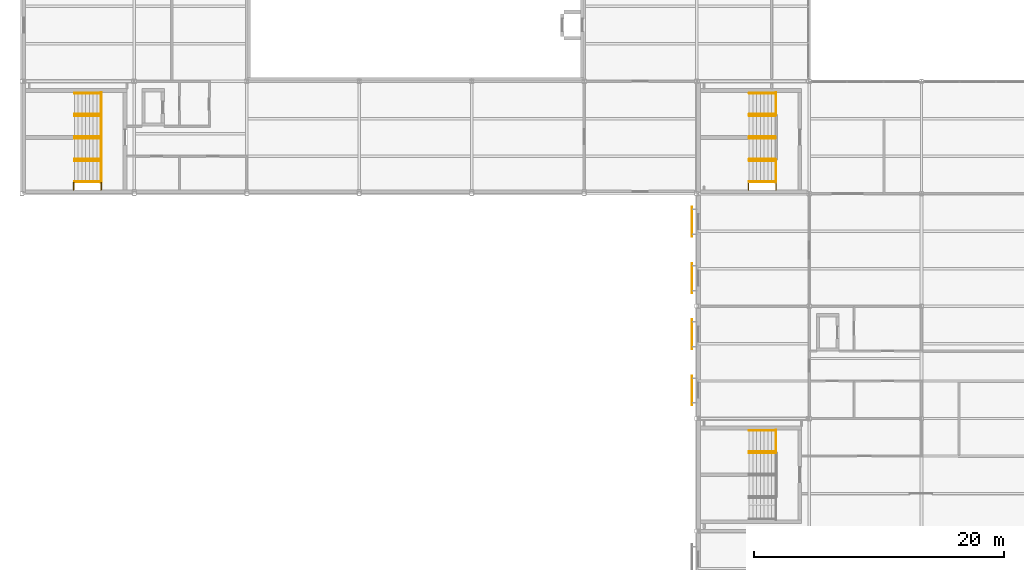
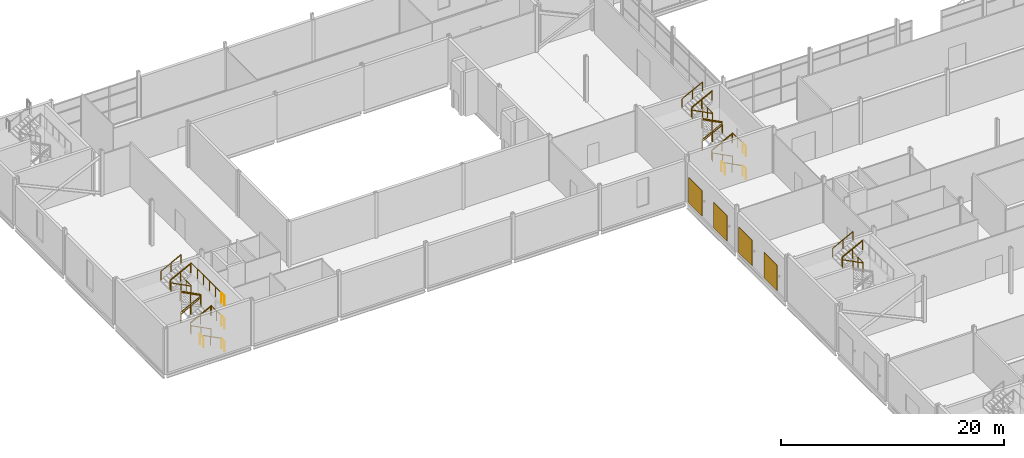
# One storey, part 106 of 112: 41 railings, 4 shading devices.
"""IFC4 building model written with IfcOpenShell, lengths in metres."""

from ifc_helpers import new_model, si_unit, direction, frame, origin, origin_2d, place, context, subcontext, project, spatial, rectangle, circle, extrude, material, layer, layer_set, type_object, element, save


model = new_model("IFC4")

# Units and contexts
model_context = context("Model", 3, precision=1e-05, world=origin(), true_north=direction((0.0, 1.0)))
body_context = subcontext(model_context, "Body", "Model", "MODEL_VIEW")
ifc_project = project(units=[si_unit("LENGTHUNIT", "METRE"), si_unit("AREAUNIT", "SQUARE_METRE"), si_unit("VOLUMEUNIT", "CUBIC_METRE"), si_unit("PLANEANGLEUNIT", "RADIAN"), si_unit("MASSUNIT", "GRAM", prefix="KILO")], contexts=[model_context])

# Site, building, storey
site_placement = place(None, origin())
site = spatial("IfcSite", under=ifc_project, at=site_placement, CompositionType="ELEMENT")
building_placement = place(site_placement, origin())
building = spatial("IfcBuilding", under=site, at=building_placement, Name="Shorebreak Coast Museum", CompositionType="ELEMENT")
storey_placement = place(building_placement, frame((0.0, 0.0, 6.0)))
storey = spatial("IfcBuildingStorey", under=building, at=storey_placement, Name="L01", CompositionType="ELEMENT", Elevation=6.0)

# Shading devices
ifc_material_1 = material(Name="Aluminium", Category="aluminium")
ifc_layer = layer(ifc_material_1, 0.0400390625)
ifc_layer_set = layer_set([ifc_layer], Name="Aluminium")
shading_device_type = type_object("IfcShadingDeviceType", Name="Perforated aluminium screen 2400 x 2800", PredefinedType="USERDEFINED", material=ifc_layer_set)
for number, where, z_axis, x_axis, name in (
    (1, (53.6298828125, 38.25, 0.5498046875), (0.0, 0.0, 1.0), (1.0, 0.0, 0.0), "Perforated screen L01 W19"),
    (2, (53.6298828125, 42.75, 0.5498046875), (0.0, 0.0, 1.0), (1.0, 0.0, 0.0), "Perforated screen L01 W20"),
    (3, (53.6298828125, 47.25, 0.5498046875), (0.0, 0.0, 1.0), (1.0, 0.0, 0.0), "Perforated screen L01 W21"),
    (4, (53.6298828125, 51.75, 0.5498046875), (0.0, 0.0, 1.0), (1.0, 0.0, 0.0), "Perforated screen L01 W22"),
):
    element("IfcShadingDevice", number, at=place(storey_placement, frame(where, z_axis=z_axis, x_axis=x_axis)), inside=storey, type_object=shading_device_type, Name=name, ObjectType="LOUVRE", PredefinedType="USERDEFINED", context=body_context, shape_type="SweptSolid", body=[
        extrude(rectangle(XDim=0.0400390625, YDim=2.39990234375, at=origin_2d()), origin(), (0.0, 0.0, 1.0), 2.800048828125),
    ])

# Railings
ifc_material_2 = material(Name="Steel Grade 300", Category="steel")
railing_type_1 = type_object("IfcRailingType", Name="Stair guard 1100", PredefinedType="GUARDRAIL", material=ifc_material_2)
for number, where, name in (
    (5, (60.35009765625, 54.89990234375, 2.5), "Guard ST01 L01 landing mid1"),
    (6, (60.35009765625, 60.300048828125, 2.5), "Guard ST01 L01 landing mid1"),
):
    element("IfcRailing", number, at=place(storey_placement, frame(where)), inside=storey, type_object=railing_type_1, Name=name, PredefinedType="GUARDRAIL", context=body_context, shape_type="SweptSolid", body=[
        extrude(circle(Radius=0.02490234375, at=origin_2d()), frame((0.0, 0.0, 1.0751953125), z_axis=(0.0, 1.0, 0.0), x_axis=(-1.0, 0.0, 0.0)), (0.0, 0.0, 1.0), 1.800048828125),
        extrude(circle(Radius=0.02001953125, at=origin_2d()), origin(), (0.0, 0.0, 1.0), 1.050048828125),
        extrude(circle(Radius=0.02001953125, at=origin_2d()), frame((0.0, 0.89990234375, 0.0)), (0.0, 0.0, 1.0), 1.050048828125),
        extrude(circle(Radius=0.02001953125, at=origin_2d()), frame((0.0, 1.800048828125, 0.0)), (0.0, 0.0, 1.0), 1.050048828125),
    ])
for number, where, name in (
    (7, (60.35009765625, 54.300048828125, 0.0), "Guard ST01 L01 landing strip"),
    (8, (60.35009765625, 54.300048828125, 2.5), "Guard ST01 L01 landing strip"),
    (9, (58.14990234375, 54.300048828125, 1.25), "Guard ST01 L01 landing strip"),
):
    element("IfcRailing", number, at=place(storey_placement, frame(where)), inside=storey, type_object=railing_type_1, Name=name, PredefinedType="GUARDRAIL", context=body_context, shape_type="SweptSolid", body=[
        extrude(circle(Radius=0.02490234375, at=origin_2d()), frame((0.0, 0.0, 1.0751953125), z_axis=(0.0, 1.0, 0.0), x_axis=(-1.0, 0.0, 0.0)), (0.0, 0.0, 1.0), 0.599853515625),
        extrude(circle(Radius=0.02001953125, at=origin_2d()), origin(), (0.0, 0.0, 1.0), 1.050048828125),
        extrude(circle(Radius=0.02001953125, at=origin_2d()), frame((0.0, 0.599853515625, 0.0)), (0.0, 0.0, 1.0), 1.050048828125),
    ])
for number, where, name in (
    (10, (58.199951171875, 56.699951171875, 1.40625), "Guard ST01-L01 well 1"),
    (11, (58.199951171875, 60.300048828125, 3.90625), "Guard ST01-L01 well 2"),
    (12, (58.199951171875, 58.5, 1.40625), "Guard ST01-L01 side 1"),
):
    element("IfcRailing", number, at=place(storey_placement, frame(where)), inside=storey, type_object=railing_type_1, Name=name, PredefinedType="GUARDRAIL", context=body_context, shape_type="SweptSolid", body=[
        extrude(circle(Radius=0.02490234375, at=origin_2d()), frame((0.0, 0.0, 1.0751953125), z_axis=(0.8869228845, 0.0, 0.461917521804), x_axis=(0.0, 1.0, 0.0)), (0.0, 0.0, 1.0), 2.367919921875),
        extrude(circle(Radius=0.02001953125, at=origin_2d()), origin(), (0.0, 0.0, 1.0), 1.050048828125),
        extrude(circle(Radius=0.02001953125, at=origin_2d()), frame((1.050048828125, 0.0, 0.546875)), (0.0, 0.0, 1.0), 1.050048828125),
        extrude(circle(Radius=0.02001953125, at=origin_2d()), frame((2.10009765625, 0.0, 1.09375)), (0.0, 0.0, 1.0), 1.050048828125),
    ])
railing_1_placement = place(storey_placement, frame((60.300048828125, 58.5, 2.65625)))
element("IfcRailing", 13, at=railing_1_placement, inside=storey, type_object=railing_type_1, Name="Guard ST01-L01 side 2", PredefinedType="GUARDRAIL", context=body_context, shape_type="SweptSolid", body=[
    extrude(circle(Radius=0.02490234375, at=origin_2d()), frame((0.0, 0.0, 1.0751953125), z_axis=(-0.8869228845, 0.0, 0.461917521804), x_axis=(0.0, -1.0, 0.0)), (0.0, 0.0, 1.0), 2.367919921875),
    extrude(circle(Radius=0.02001953125, at=origin_2d()), origin(), (0.0, 0.0, 1.0), 1.050048828125),
    extrude(circle(Radius=0.02001953125, at=origin_2d()), frame((-1.050048828125, 0.0, 0.546875)), (0.0, 0.0, 1.0), 1.050048828125),
    extrude(circle(Radius=0.02001953125, at=origin_2d()), frame((-2.10009765625, 0.0, 1.09375)), (0.0, 0.0, 1.0), 1.050048828125),
])
for number, where, name in (
    (14, (6.35009765625, 54.89990234375, 2.5), "Guard ST05 L01 landing mid1"),
    (15, (6.35009765625, 60.300048828125, 2.5), "Guard ST05 L01 landing mid1"),
):
    element("IfcRailing", number, at=place(storey_placement, frame(where)), inside=storey, type_object=railing_type_1, Name=name, PredefinedType="GUARDRAIL", context=body_context, shape_type="SweptSolid", body=[
        extrude(circle(Radius=0.02490234375, at=origin_2d()), frame((0.0, 0.0, 1.0751953125), z_axis=(0.0, 1.0, 0.0), x_axis=(-1.0, 0.0, 0.0)), (0.0, 0.0, 1.0), 1.800048828125),
        extrude(circle(Radius=0.02001953125, at=origin_2d()), origin(), (0.0, 0.0, 1.0), 1.050048828125),
        extrude(circle(Radius=0.02001953125, at=origin_2d()), frame((0.0, 0.89990234375, 0.0)), (0.0, 0.0, 1.0), 1.050048828125),
        extrude(circle(Radius=0.02001953125, at=origin_2d()), frame((0.0, 1.800048828125, 0.0)), (0.0, 0.0, 1.0), 1.050048828125),
    ])
railing_2_placement = place(storey_placement, frame((6.35009765625, 54.89990234375, 5.0)))
element("IfcRailing", 16, at=railing_2_placement, inside=storey, type_object=railing_type_1, Name="Guard ST05 L01 landing top", PredefinedType="GUARDRAIL", context=body_context, shape_type="SweptSolid", body=[
    extrude(circle(Radius=0.02490234375, at=origin_2d()), frame((0.0, 0.0, 1.0751953125), z_axis=(0.0, 1.0, 0.0), x_axis=(-1.0, 0.0, 0.0)), (0.0, 0.0, 1.0), 5.400146484375),
    extrude(circle(Radius=0.02001953125, at=origin_2d()), origin(), (0.0, 0.0, 1.0), 1.050048828125),
    extrude(circle(Radius=0.02001953125, at=origin_2d()), frame((0.0, 1.080078125, 0.0)), (0.0, 0.0, 1.0), 1.050048828125),
    extrude(circle(Radius=0.02001953125, at=origin_2d()), frame((0.0, 2.16015625, 0.0)), (0.0, 0.0, 1.0), 1.050048828125),
    extrude(circle(Radius=0.02001953125, at=origin_2d()), frame((0.0, 3.239990234375, 0.0)), (0.0, 0.0, 1.0), 1.050048828125),
    extrude(circle(Radius=0.02001953125, at=origin_2d()), frame((0.0, 4.320068359375, 0.0)), (0.0, 0.0, 1.0), 1.050048828125),
    extrude(circle(Radius=0.02001953125, at=origin_2d()), frame((0.0, 5.400146484375, 0.0)), (0.0, 0.0, 1.0), 1.050048828125),
])
for number, where, name in (
    (17, (6.35009765625, 54.300048828125, 0.0), "Guard ST05 L01 landing strip"),
    (18, (6.35009765625, 54.300048828125, 2.5), "Guard ST05 L01 landing strip"),
    (19, (4.14990234375, 54.300048828125, 1.25), "Guard ST05 L01 landing strip"),
    (20, (6.35009765625, 54.300048828125, 5.0), "Guard ST05 L01 landing strip"),
):
    element("IfcRailing", number, at=place(storey_placement, frame(where)), inside=storey, type_object=railing_type_1, Name=name, PredefinedType="GUARDRAIL", context=body_context, shape_type="SweptSolid", body=[
        extrude(circle(Radius=0.02490234375, at=origin_2d()), frame((0.0, 0.0, 1.0751953125), z_axis=(0.0, 1.0, 0.0), x_axis=(-1.0, 0.0, 0.0)), (0.0, 0.0, 1.0), 0.599853515625),
        extrude(circle(Radius=0.02001953125, at=origin_2d()), origin(), (0.0, 0.0, 1.0), 1.050048828125),
        extrude(circle(Radius=0.02001953125, at=origin_2d()), frame((0.0, 0.599853515625, 0.0)), (0.0, 0.0, 1.0), 1.050048828125),
    ])
for number, where, name in (
    (21, (4.199951171875, 56.699951171875, 1.40625), "Guard ST05-L01 well 1"),
    (22, (4.199951171875, 60.300048828125, 3.90625), "Guard ST05-L01 well 2"),
    (23, (4.199951171875, 58.5, 1.40625), "Guard ST05-L01 side 1"),
):
    element("IfcRailing", number, at=place(storey_placement, frame(where)), inside=storey, type_object=railing_type_1, Name=name, PredefinedType="GUARDRAIL", context=body_context, shape_type="SweptSolid", body=[
        extrude(circle(Radius=0.02490234375, at=origin_2d()), frame((0.0, 0.0, 1.0751953125), z_axis=(0.8869228845, 0.0, 0.461917521804), x_axis=(0.0, 1.0, 0.0)), (0.0, 0.0, 1.0), 2.367919921875),
        extrude(circle(Radius=0.02001953125, at=origin_2d()), origin(), (0.0, 0.0, 1.0), 1.050048828125),
        extrude(circle(Radius=0.02001953125, at=origin_2d()), frame((1.050048828125, 0.0, 0.546875)), (0.0, 0.0, 1.0), 1.050048828125),
        extrude(circle(Radius=0.02001953125, at=origin_2d()), frame((2.10009765625, 0.0, 1.09375)), (0.0, 0.0, 1.0), 1.050048828125),
    ])
railing_3_placement = place(storey_placement, frame((6.300048828125, 58.5, 2.65625)))
element("IfcRailing", 24, at=railing_3_placement, inside=storey, type_object=railing_type_1, Name="Guard ST05-L01 side 2", PredefinedType="GUARDRAIL", context=body_context, shape_type="SweptSolid", body=[
    extrude(circle(Radius=0.02490234375, at=origin_2d()), frame((0.0, 0.0, 1.0751953125), z_axis=(-0.8869228845, 0.0, 0.461917521804), x_axis=(0.0, -1.0, 0.0)), (0.0, 0.0, 1.0), 2.367919921875),
    extrude(circle(Radius=0.02001953125, at=origin_2d()), origin(), (0.0, 0.0, 1.0), 1.050048828125),
    extrude(circle(Radius=0.02001953125, at=origin_2d()), frame((-1.050048828125, 0.0, 0.546875)), (0.0, 0.0, 1.0), 1.050048828125),
    extrude(circle(Radius=0.02001953125, at=origin_2d()), frame((-2.10009765625, 0.0, 1.09375)), (0.0, 0.0, 1.0), 1.050048828125),
])
railing_4_placement = place(storey_placement, frame((60.35009765625, 33.300048828125, 2.5)))
element("IfcRailing", 25, at=railing_4_placement, inside=storey, type_object=railing_type_1, Name="Guard ST13 L01 landing mid1", PredefinedType="GUARDRAIL", context=body_context, shape_type="SweptSolid", body=[
    extrude(circle(Radius=0.02490234375, at=origin_2d()), frame((0.0, 0.0, 1.0751953125), z_axis=(0.0, 1.0, 0.0), x_axis=(-1.0, 0.0, 0.0)), (0.0, 0.0, 1.0), 1.800048828125),
    extrude(circle(Radius=0.02001953125, at=origin_2d()), origin(), (0.0, 0.0, 1.0), 1.050048828125),
    extrude(circle(Radius=0.02001953125, at=origin_2d()), frame((0.0, 0.89990234375, 0.0)), (0.0, 0.0, 1.0), 1.050048828125),
    extrude(circle(Radius=0.02001953125, at=origin_2d()), frame((0.0, 1.800048828125, 0.0)), (0.0, 0.0, 1.0), 1.050048828125),
])
railing_5_placement = place(storey_placement, frame((58.199951171875, 33.300048828125, 3.90625)))
element("IfcRailing", 26, at=railing_5_placement, inside=storey, type_object=railing_type_1, Name="Guard ST13-L01 well 2", PredefinedType="GUARDRAIL", context=body_context, shape_type="SweptSolid", body=[
    extrude(circle(Radius=0.02490234375, at=origin_2d()), frame((0.0, 0.0, 1.0751953125), z_axis=(0.8869228845, 0.0, 0.461917521804), x_axis=(0.0, 1.0, 0.0)), (0.0, 0.0, 1.0), 2.367919921875),
    extrude(circle(Radius=0.02001953125, at=origin_2d()), origin(), (0.0, 0.0, 1.0), 1.050048828125),
    extrude(circle(Radius=0.02001953125, at=origin_2d()), frame((1.050048828125, 0.0, 0.546875)), (0.0, 0.0, 1.0), 1.050048828125),
    extrude(circle(Radius=0.02001953125, at=origin_2d()), frame((2.10009765625, 0.0, 1.09375)), (0.0, 0.0, 1.0), 1.050048828125),
])
ifc_material_3 = material(Name="Steel Grade 300", Category="steel")
railing_type_2 = type_object("IfcRailingType", Name="Stair handrail 950", PredefinedType="HANDRAIL", material=ifc_material_3)
for number, where, name in (
    (27, (60.300048828125, 54.9599609375, 0.15625), "Handrail ST01-L01 flight 1a"),
    (28, (60.300048828125, 56.639892578125, 0.15625), "Handrail ST01-L01 flight 1b"),
):
    element("IfcRailing", number, at=place(storey_placement, frame(where)), inside=storey, type_object=railing_type_2, Name=name, PredefinedType="HANDRAIL", context=body_context, shape_type="SweptSolid", body=[
        extrude(circle(Radius=0.02490234375, at=origin_2d()), frame((0.0, 0.0, 0.9248046875), z_axis=(-0.8869228845, 0.0, 0.461917521804), x_axis=(0.0, -1.0, 0.0)), (0.0, 0.0, 1.0), 2.367919921875),
        extrude(circle(Radius=0.02001953125, at=origin_2d()), origin(), (0.0, 0.0, 1.0), 0.89990234375),
        extrude(circle(Radius=0.02001953125, at=origin_2d()), frame((-1.050048828125, 0.0, 0.546875)), (0.0, 0.0, 1.0), 0.89990234375),
        extrude(circle(Radius=0.02001953125, at=origin_2d()), frame((-2.10009765625, 0.0, 1.09375)), (0.0, 0.0, 1.0), 0.89990234375),
    ])
for number, where, name in (
    (29, (58.199951171875, 56.760009765625, 1.40625), "Handrail ST01-L01 flight 2a"),
    (30, (58.199951171875, 58.43994140625, 1.40625), "Handrail ST01-L01 flight 2b"),
):
    element("IfcRailing", number, at=place(storey_placement, frame(where)), inside=storey, type_object=railing_type_2, Name=name, PredefinedType="HANDRAIL", context=body_context, shape_type="SweptSolid", body=[
        extrude(circle(Radius=0.02490234375, at=origin_2d()), frame((0.0, 0.0, 0.9248046875), z_axis=(0.8869228845, 0.0, 0.461917521804), x_axis=(0.0, 1.0, 0.0)), (0.0, 0.0, 1.0), 2.367919921875),
        extrude(circle(Radius=0.02001953125, at=origin_2d()), origin(), (0.0, 0.0, 1.0), 0.89990234375),
        extrude(circle(Radius=0.02001953125, at=origin_2d()), frame((1.050048828125, 0.0, 0.546875)), (0.0, 0.0, 1.0), 0.89990234375),
        extrude(circle(Radius=0.02001953125, at=origin_2d()), frame((2.10009765625, 0.0, 1.09375)), (0.0, 0.0, 1.0), 0.89990234375),
    ])
for number, where, name in (
    (31, (60.300048828125, 58.56005859375, 2.65625), "Handrail ST01-L01 flight 3a"),
    (32, (60.300048828125, 60.239990234375, 2.65625), "Handrail ST01-L01 flight 3b"),
):
    element("IfcRailing", number, at=place(storey_placement, frame(where)), inside=storey, type_object=railing_type_2, Name=name, PredefinedType="HANDRAIL", context=body_context, shape_type="SweptSolid", body=[
        extrude(circle(Radius=0.02490234375, at=origin_2d()), frame((0.0, 0.0, 0.9248046875), z_axis=(-0.8869228845, 0.0, 0.461917521804), x_axis=(0.0, -1.0, 0.0)), (0.0, 0.0, 1.0), 2.367919921875),
        extrude(circle(Radius=0.02001953125, at=origin_2d()), origin(), (0.0, 0.0, 1.0), 0.89990234375),
        extrude(circle(Radius=0.02001953125, at=origin_2d()), frame((-1.050048828125, 0.0, 0.546875)), (0.0, 0.0, 1.0), 0.89990234375),
        extrude(circle(Radius=0.02001953125, at=origin_2d()), frame((-2.10009765625, 0.0, 1.09375)), (0.0, 0.0, 1.0), 0.89990234375),
    ])
for number, where, name in (
    (33, (58.199951171875, 60.360107421875, 3.90625), "Handrail ST01-L01 flight 4a"),
    (34, (58.199951171875, 62.0400390625, 3.90625), "Handrail ST01-L01 flight 4b"),
):
    element("IfcRailing", number, at=place(storey_placement, frame(where)), inside=storey, type_object=railing_type_2, Name=name, PredefinedType="HANDRAIL", context=body_context, shape_type="SweptSolid", body=[
        extrude(circle(Radius=0.02490234375, at=origin_2d()), frame((0.0, 0.0, 0.9248046875), z_axis=(0.8869228845, 0.0, 0.461917521804), x_axis=(0.0, 1.0, 0.0)), (0.0, 0.0, 1.0), 2.367919921875),
        extrude(circle(Radius=0.02001953125, at=origin_2d()), origin(), (0.0, 0.0, 1.0), 0.89990234375),
        extrude(circle(Radius=0.02001953125, at=origin_2d()), frame((1.050048828125, 0.0, 0.546875)), (0.0, 0.0, 1.0), 0.89990234375),
        extrude(circle(Radius=0.02001953125, at=origin_2d()), frame((2.10009765625, 0.0, 1.09375)), (0.0, 0.0, 1.0), 0.89990234375),
    ])
for number, where, name in (
    (35, (6.300048828125, 54.9599609375, 0.15625), "Handrail ST05-L01 flight 1a"),
    (36, (6.300048828125, 56.639892578125, 0.15625), "Handrail ST05-L01 flight 1b"),
):
    element("IfcRailing", number, at=place(storey_placement, frame(where)), inside=storey, type_object=railing_type_2, Name=name, PredefinedType="HANDRAIL", context=body_context, shape_type="SweptSolid", body=[
        extrude(circle(Radius=0.02490234375, at=origin_2d()), frame((0.0, 0.0, 0.9248046875), z_axis=(-0.8869228845, 0.0, 0.461917521804), x_axis=(0.0, -1.0, 0.0)), (0.0, 0.0, 1.0), 2.367919921875),
        extrude(circle(Radius=0.02001953125, at=origin_2d()), origin(), (0.0, 0.0, 1.0), 0.89990234375),
        extrude(circle(Radius=0.02001953125, at=origin_2d()), frame((-1.050048828125, 0.0, 0.546875)), (0.0, 0.0, 1.0), 0.89990234375),
        extrude(circle(Radius=0.02001953125, at=origin_2d()), frame((-2.10009765625, 0.0, 1.09375)), (0.0, 0.0, 1.0), 0.89990234375),
    ])
for number, where, name in (
    (37, (4.199951171875, 56.760009765625, 1.40625), "Handrail ST05-L01 flight 2a"),
    (38, (4.199951171875, 58.43994140625, 1.40625), "Handrail ST05-L01 flight 2b"),
):
    element("IfcRailing", number, at=place(storey_placement, frame(where)), inside=storey, type_object=railing_type_2, Name=name, PredefinedType="HANDRAIL", context=body_context, shape_type="SweptSolid", body=[
        extrude(circle(Radius=0.02490234375, at=origin_2d()), frame((0.0, 0.0, 0.9248046875), z_axis=(0.8869228845, 0.0, 0.461917521804), x_axis=(0.0, 1.0, 0.0)), (0.0, 0.0, 1.0), 2.367919921875),
        extrude(circle(Radius=0.02001953125, at=origin_2d()), origin(), (0.0, 0.0, 1.0), 0.89990234375),
        extrude(circle(Radius=0.02001953125, at=origin_2d()), frame((1.050048828125, 0.0, 0.546875)), (0.0, 0.0, 1.0), 0.89990234375),
        extrude(circle(Radius=0.02001953125, at=origin_2d()), frame((2.10009765625, 0.0, 1.09375)), (0.0, 0.0, 1.0), 0.89990234375),
    ])
for number, where, name in (
    (39, (6.300048828125, 58.56005859375, 2.65625), "Handrail ST05-L01 flight 3a"),
    (40, (6.300048828125, 60.239990234375, 2.65625), "Handrail ST05-L01 flight 3b"),
):
    element("IfcRailing", number, at=place(storey_placement, frame(where)), inside=storey, type_object=railing_type_2, Name=name, PredefinedType="HANDRAIL", context=body_context, shape_type="SweptSolid", body=[
        extrude(circle(Radius=0.02490234375, at=origin_2d()), frame((0.0, 0.0, 0.9248046875), z_axis=(-0.8869228845, 0.0, 0.461917521804), x_axis=(0.0, -1.0, 0.0)), (0.0, 0.0, 1.0), 2.367919921875),
        extrude(circle(Radius=0.02001953125, at=origin_2d()), origin(), (0.0, 0.0, 1.0), 0.89990234375),
        extrude(circle(Radius=0.02001953125, at=origin_2d()), frame((-1.050048828125, 0.0, 0.546875)), (0.0, 0.0, 1.0), 0.89990234375),
        extrude(circle(Radius=0.02001953125, at=origin_2d()), frame((-2.10009765625, 0.0, 1.09375)), (0.0, 0.0, 1.0), 0.89990234375),
    ])
for number, where, name in (
    (41, (4.199951171875, 60.360107421875, 3.90625), "Handrail ST05-L01 flight 4a"),
    (42, (4.199951171875, 62.0400390625, 3.90625), "Handrail ST05-L01 flight 4b"),
):
    element("IfcRailing", number, at=place(storey_placement, frame(where)), inside=storey, type_object=railing_type_2, Name=name, PredefinedType="HANDRAIL", context=body_context, shape_type="SweptSolid", body=[
        extrude(circle(Radius=0.02490234375, at=origin_2d()), frame((0.0, 0.0, 0.9248046875), z_axis=(0.8869228845, 0.0, 0.461917521804), x_axis=(0.0, 1.0, 0.0)), (0.0, 0.0, 1.0), 2.367919921875),
        extrude(circle(Radius=0.02001953125, at=origin_2d()), origin(), (0.0, 0.0, 1.0), 0.89990234375),
        extrude(circle(Radius=0.02001953125, at=origin_2d()), frame((1.050048828125, 0.0, 0.546875)), (0.0, 0.0, 1.0), 0.89990234375),
        extrude(circle(Radius=0.02001953125, at=origin_2d()), frame((2.10009765625, 0.0, 1.09375)), (0.0, 0.0, 1.0), 0.89990234375),
    ])
railing_6_placement = place(storey_placement, frame((60.300048828125, 33.239990234375, 2.65625)))
element("IfcRailing", 43, at=railing_6_placement, inside=storey, type_object=railing_type_2, Name="Handrail ST13-L01 flight 3b", PredefinedType="HANDRAIL", context=body_context, shape_type="SweptSolid", body=[
    extrude(circle(Radius=0.02490234375, at=origin_2d()), frame((0.0, 0.0, 0.9248046875), z_axis=(-0.8869228845, 0.0, 0.461917521804), x_axis=(0.0, -1.0, 0.0)), (0.0, 0.0, 1.0), 2.367919921875),
    extrude(circle(Radius=0.02001953125, at=origin_2d()), origin(), (0.0, 0.0, 1.0), 0.89990234375),
    extrude(circle(Radius=0.02001953125, at=origin_2d()), frame((-1.050048828125, 0.0, 0.546875)), (0.0, 0.0, 1.0), 0.89990234375),
    extrude(circle(Radius=0.02001953125, at=origin_2d()), frame((-2.10009765625, 0.0, 1.09375)), (0.0, 0.0, 1.0), 0.89990234375),
])
for number, where, name in (
    (44, (58.199951171875, 33.360107421875, 3.90625), "Handrail ST13-L01 flight 4a"),
    (45, (58.199951171875, 35.0400390625, 3.90625), "Handrail ST13-L01 flight 4b"),
):
    element("IfcRailing", number, at=place(storey_placement, frame(where)), inside=storey, type_object=railing_type_2, Name=name, PredefinedType="HANDRAIL", context=body_context, shape_type="SweptSolid", body=[
        extrude(circle(Radius=0.02490234375, at=origin_2d()), frame((0.0, 0.0, 0.9248046875), z_axis=(0.8869228845, 0.0, 0.461917521804), x_axis=(0.0, 1.0, 0.0)), (0.0, 0.0, 1.0), 2.367919921875),
        extrude(circle(Radius=0.02001953125, at=origin_2d()), origin(), (0.0, 0.0, 1.0), 0.89990234375),
        extrude(circle(Radius=0.02001953125, at=origin_2d()), frame((1.050048828125, 0.0, 0.546875)), (0.0, 0.0, 1.0), 0.89990234375),
        extrude(circle(Radius=0.02001953125, at=origin_2d()), frame((2.10009765625, 0.0, 1.09375)), (0.0, 0.0, 1.0), 0.89990234375),
    ])

save(model, "model.ifc")
